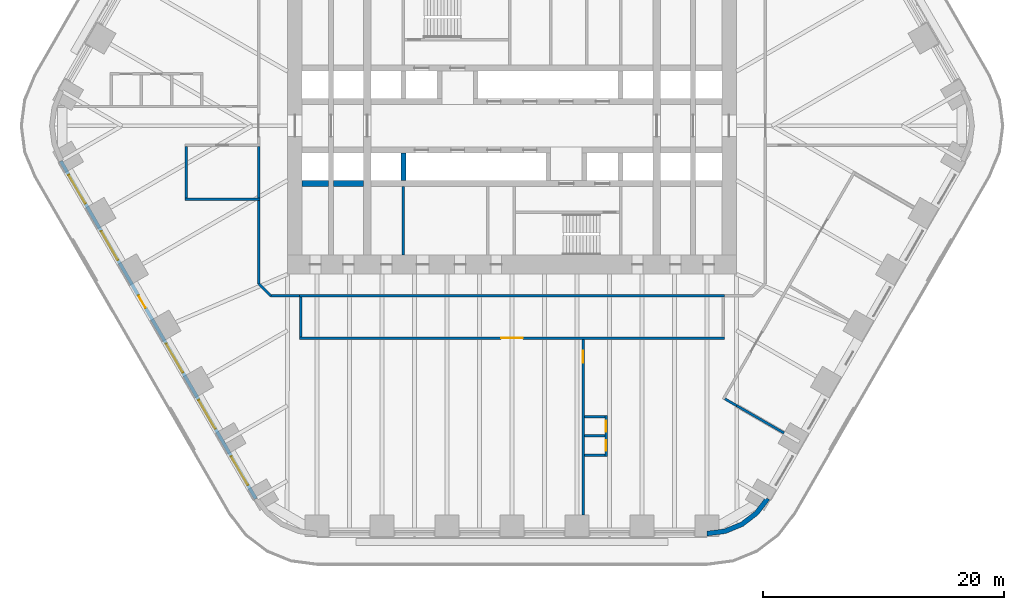
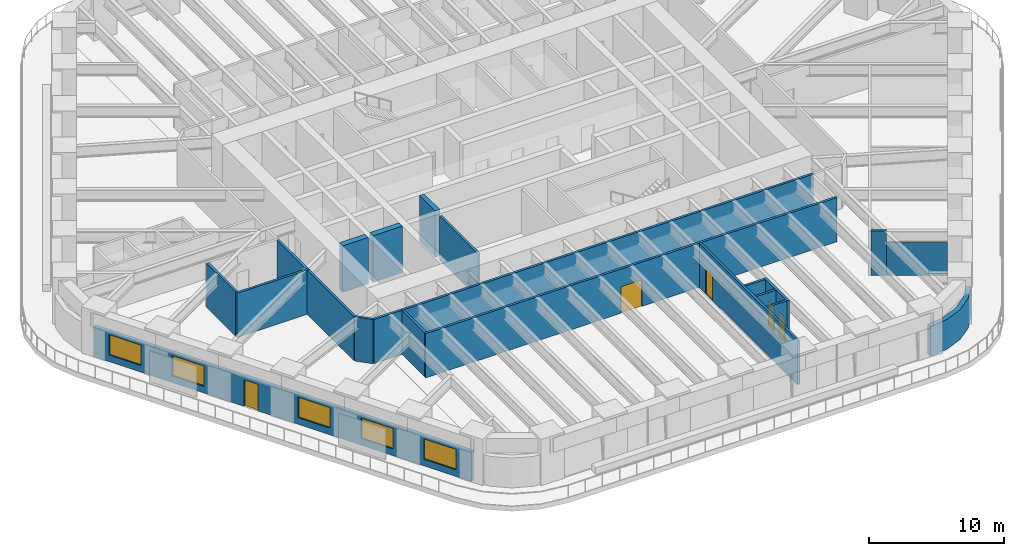
# One storey, part 16 of 23: 22 walls, 5 doors, 5 windows, 10 openings.
"""IFC4 building model written with IfcOpenShell, lengths in metres."""

from ifc_helpers import new_model, si_unit, direction, frame, frame_2d, origin, place, context, subcontext, project, spatial, polyline, rectangle, outline, extrude, material, layer, layer_set, type_object, element, fill, save


model = new_model("IFC4")

# Units and contexts
model_context = context("Model", 3, precision=1e-05, world=origin(), true_north=direction((0.0, 1.0)))
body_context = subcontext(model_context, "Body", "Model", "MODEL_VIEW")
ifc_project = project(units=[si_unit("LENGTHUNIT", "METRE"), si_unit("AREAUNIT", "SQUARE_METRE"), si_unit("VOLUMEUNIT", "CUBIC_METRE"), si_unit("PLANEANGLEUNIT", "RADIAN"), si_unit("MASSUNIT", "GRAM", prefix="KILO")], contexts=[model_context])

# Site, building, storey
site_placement = place(None, origin())
site = spatial("IfcSite", under=ifc_project, at=site_placement, CompositionType="ELEMENT")
building_placement = place(site_placement, origin())
building = spatial("IfcBuilding", under=site, at=building_placement, Name="Tarfa Lantern Tower", CompositionType="ELEMENT")
storey_placement = place(building_placement, frame((0.0, 0.0, 52.89990234375)))
storey = spatial("IfcBuildingStorey", under=building, at=storey_placement, Name="L11", CompositionType="ELEMENT", Elevation=52.89990234375)

# Wall, openings, door, windows
ifc_material_1 = material(Name="Limestone cladding on blockwork", Category="masonry")
ifc_layer_1 = layer(ifc_material_1, 0.300048828125)
ifc_layer_set_1 = layer_set([ifc_layer_1], Name="EW1 STONE-CLAD WALL 300")
wall_type_1 = type_object("IfcWallType", Name="EW1 STONE-CLAD WALL 300", PredefinedType="SOLIDWALL", material=ifc_layer_set_1)
wall_1_placement = place(storey_placement, frame((-37.39794921875, -2.925048828125, 0.0), z_axis=(0.0, 0.0, 1.0), x_axis=(0.499999163675, -0.866025886636, 0.0)))
wall_1 = element("IfcWall", 1, at=wall_1_placement, inside=storey, type_object=wall_type_1, Name="Stone wall SW", PredefinedType="SOLIDWALL", context=body_context, shape_type="SweptSolid", body=[
    extrude(rectangle(XDim=32.33154296875, YDim=0.300048828125, at=frame_2d((16.165771484375, 0.0))), origin(), (0.0, 0.0, 1.0), 2.7001953125),
])
opening_1_placement = place(wall_1_placement, frame((1.3193359375, 0.0, 0.60009765625)))
opening_1 = element("IfcOpeningElement", 2, at=opening_1_placement, cuts=wall_1, Name="Opening W2", PredefinedType="OPENING", context=body_context, shape_type="SweptSolid", body=[
    extrude(rectangle(XDim=2.75, YDim=1.85009765625, at=frame_2d((1.375, 0.925048828125))), frame((0.0, 0.159912109375, 0.0), z_axis=(0.0, -1.0, 0.0), x_axis=(1.0, 0.0, 0.0)), (0.0, 0.0, 1.0), 0.320068359375),
])
opening_2_placement = place(wall_1_placement, frame((6.7080078125, 0.0, 0.60009765625)))
opening_2 = element("IfcOpeningElement", 3, at=opening_2_placement, cuts=wall_1, Name="Opening W2", PredefinedType="OPENING", context=body_context, shape_type="SweptSolid", body=[
    extrude(rectangle(XDim=2.75, YDim=1.85009765625, at=frame_2d((1.375, 0.925048828125))), frame((0.0, 0.159912109375, 0.0), z_axis=(0.0, -1.0, 0.0), x_axis=(1.0, 0.0, 0.0)), (0.0, 0.0, 1.0), 0.320068359375),
])
opening_3_placement = place(wall_1_placement, frame((12.87158203125, 0.0, 0.0)))
opening_3 = element("IfcOpeningElement", 4, at=opening_3_placement, cuts=wall_1, Name="Opening D51", PredefinedType="OPENING", context=body_context, shape_type="SweptSolid", body=[
    extrude(rectangle(XDim=1.199951171875, YDim=2.39990234375, at=frame_2d((0.60009765625, 1.199951171875))), frame((0.0, 0.159912109375, 0.0), z_axis=(0.0, -1.0, 0.0), x_axis=(1.0, 0.0, 0.0)), (0.0, 0.0, 1.0), 0.320068359375),
])
opening_4_placement = place(wall_1_placement, frame((17.485107421875, 0.0, 0.60009765625)))
opening_4 = element("IfcOpeningElement", 5, at=opening_4_placement, cuts=wall_1, Name="Opening W2", PredefinedType="OPENING", context=body_context, shape_type="SweptSolid", body=[
    extrude(rectangle(XDim=2.75, YDim=1.85009765625, at=frame_2d((1.375, 0.925048828125))), frame((0.0, 0.159912109375, 0.0), z_axis=(0.0, -1.0, 0.0), x_axis=(1.0, 0.0, 0.0)), (0.0, 0.0, 1.0), 0.320068359375),
])
opening_5_placement = place(wall_1_placement, frame((22.873779296875, 0.0, 0.60009765625)))
opening_5 = element("IfcOpeningElement", 6, at=opening_5_placement, cuts=wall_1, Name="Opening W2", PredefinedType="OPENING", context=body_context, shape_type="SweptSolid", body=[
    extrude(rectangle(XDim=2.75, YDim=1.85009765625, at=frame_2d((1.375, 0.925048828125))), frame((0.0, 0.159912109375, 0.0), z_axis=(0.0, -1.0, 0.0), x_axis=(1.0, 0.0, 0.0)), (0.0, 0.0, 1.0), 0.320068359375),
])
opening_6_placement = place(wall_1_placement, frame((28.26220703125, 0.0, 0.60009765625)))
opening_6 = element("IfcOpeningElement", 7, at=opening_6_placement, cuts=wall_1, Name="Opening W2", PredefinedType="OPENING", context=body_context, shape_type="SweptSolid", body=[
    extrude(rectangle(XDim=2.75, YDim=1.85009765625, at=frame_2d((1.375, 0.925048828125))), frame((0.0, 0.159912109375, 0.0), z_axis=(0.0, -1.0, 0.0), x_axis=(1.0, 0.0, 0.0)), (0.0, 0.0, 1.0), 0.320068359375),
])
ifc_material_2 = material(Name="Aluminium framed glazed door", Category="aluminium")
door_type_1 = type_object("IfcDoorType", Name="BE3 BALCONY DOOR 1200x2400", OperationType="SINGLE_SWING_RIGHT", PredefinedType="DOOR", material=ifc_material_2)
door_1_placement = place(opening_3_placement, origin())
door_1 = element("IfcDoor", 8, at=door_1_placement, inside=storey, type_object=door_type_1, Name="Balcony door SW", OperationType="SINGLE_SWING_RIGHT", OverallHeight=2.39990234375, OverallWidth=1.199951171875, PredefinedType="DOOR", context=body_context, shape_type="SweptSolid", body=[
    extrude(rectangle(XDim=1.199951171875, YDim=2.39990234375, at=frame_2d((0.60009765625, 1.199951171875))), frame((0.0, 0.02490234375, 0.0), z_axis=(0.0, -1.0, 0.0), x_axis=(1.0, 0.0, 0.0)), (0.0, 0.0, 1.0), 0.050048828125),
])
fill(opening_3, door_1)
ifc_material_3 = material(Name="Aluminium frame, double glazed", Category="aluminium")
window_type = type_object("IfcWindowType", Name="W2 FULL-HEIGHT GLAZING 2750x1850", PartitioningType="SINGLE_PANEL", PredefinedType="WINDOW", material=ifc_material_3)
window_1_placement = place(opening_1_placement, origin())
window_1 = element("IfcWindow", 9, at=window_1_placement, inside=storey, type_object=window_type, Name="Window SW 1", OverallHeight=1.85009765625, OverallWidth=2.75, PartitioningType="SINGLE_PANEL", PredefinedType="WINDOW", context=body_context, shape_type="SweptSolid", body=[
    extrude(rectangle(XDim=2.75, YDim=1.85009765625, at=frame_2d((1.375, 0.925048828125))), frame((0.0, 0.030029296875, 0.0), z_axis=(0.0, -1.0, 0.0), x_axis=(1.0, 0.0, 0.0)), (0.0, 0.0, 1.0), 0.06005859375),
])
fill(opening_1, window_1)
window_2_placement = place(opening_2_placement, origin())
window_2 = element("IfcWindow", 10, at=window_2_placement, inside=storey, type_object=window_type, Name="Window SW 2", OverallHeight=1.85009765625, OverallWidth=2.75, PartitioningType="SINGLE_PANEL", PredefinedType="WINDOW", context=body_context, shape_type="SweptSolid", body=[
    extrude(rectangle(XDim=2.75, YDim=1.85009765625, at=frame_2d((1.375, 0.925048828125))), frame((0.0, 0.030029296875, 0.0), z_axis=(0.0, -1.0, 0.0), x_axis=(1.0, 0.0, 0.0)), (0.0, 0.0, 1.0), 0.06005859375),
])
fill(opening_2, window_2)
window_3_placement = place(opening_4_placement, origin())
window_3 = element("IfcWindow", 11, at=window_3_placement, inside=storey, type_object=window_type, Name="Window SW 4", OverallHeight=1.85009765625, OverallWidth=2.75, PartitioningType="SINGLE_PANEL", PredefinedType="WINDOW", context=body_context, shape_type="SweptSolid", body=[
    extrude(rectangle(XDim=2.75, YDim=1.85009765625, at=frame_2d((1.375, 0.925048828125))), frame((0.0, 0.030029296875, 0.0), z_axis=(0.0, -1.0, 0.0), x_axis=(1.0, 0.0, 0.0)), (0.0, 0.0, 1.0), 0.06005859375),
])
fill(opening_4, window_3)
window_4_placement = place(opening_5_placement, origin())
window_4 = element("IfcWindow", 12, at=window_4_placement, inside=storey, type_object=window_type, Name="Window SW 5", OverallHeight=1.85009765625, OverallWidth=2.75, PartitioningType="SINGLE_PANEL", PredefinedType="WINDOW", context=body_context, shape_type="SweptSolid", body=[
    extrude(rectangle(XDim=2.75, YDim=1.85009765625, at=frame_2d((1.375, 0.925048828125))), frame((0.0, 0.030029296875, 0.0), z_axis=(0.0, -1.0, 0.0), x_axis=(1.0, 0.0, 0.0)), (0.0, 0.0, 1.0), 0.06005859375),
])
fill(opening_5, window_4)
window_5_placement = place(opening_6_placement, origin())
window_5 = element("IfcWindow", 13, at=window_5_placement, inside=storey, type_object=window_type, Name="Window SW 6", OverallHeight=1.85009765625, OverallWidth=2.75, PartitioningType="SINGLE_PANEL", PredefinedType="WINDOW", context=body_context, shape_type="SweptSolid", body=[
    extrude(rectangle(XDim=2.75, YDim=1.85009765625, at=frame_2d((1.375, 0.925048828125))), frame((0.0, 0.030029296875, 0.0), z_axis=(0.0, -1.0, 0.0), x_axis=(1.0, 0.0, 0.0)), (0.0, 0.0, 1.0), 0.06005859375),
])
fill(opening_6, window_5)

# Walls
ifc_layer_2 = layer(ifc_material_1, 0.39990234375)
ifc_layer_set_2 = layer_set([ifc_layer_2], Name="EW2 CURVED STONE CORNER 400")
wall_type_2 = type_object("IfcWallType", Name="EW2 CURVED STONE CORNER 400", PredefinedType="SOLIDWALL", material=ifc_layer_set_2)
wall_2_placement = place(storey_placement, origin())
element("IfcWall", 14, at=wall_2_placement, inside=storey, type_object=wall_type_2, Name="Stone corner S-SE", PredefinedType="SOLIDWALL", context=body_context, shape_type="SweptSolid", body=[
    extrude(outline(polyline([(16.165771484375, -34.0), (17.71875, -33.795654296875), (19.165771484375, -33.196044921875), (20.408447265625, -32.24267578125), (21.362060546875, -31.0), (21.015625, -30.800048828125), (20.12548828125, -31.959716796875), (18.9658203125, -32.849853515625), (17.615234375, -33.4091796875), (16.165771484375, -33.60009765625), (16.165771484375, -34.0)])), origin(), (0.0, 0.0, 1.0), 2.7001953125),
])
ifc_material_4 = material(Name="Concrete blockwork", Category="masonry")
ifc_layer_3 = layer(ifc_material_4, 0.199951171875)
ifc_layer_set_3 = layer_set([ifc_layer_3], Name="IW1 BLOCKWORK PARTITION 200 EI 120")
wall_type_3 = type_object("IfcWallType", Name="IW1 BLOCKWORK PARTITION 200 EI 120", PredefinedType="PARTITIONING", material=ifc_layer_set_3)
wall_3_placement = place(storey_placement, frame((-9.0, -5.050048828125, 0.0), z_axis=(0.0, 0.0, 1.0), x_axis=(0.0, -1.0, 0.0)))
element("IfcWall", 15, at=wall_3_placement, inside=storey, type_object=wall_type_3, Name="Core partition", PredefinedType="PARTITIONING", context=body_context, shape_type="SweptSolid", body=[
    extrude(rectangle(XDim=5.64990234375, YDim=0.199951171875, at=frame_2d((2.824951171875, 0.0))), origin(), (0.0, 0.0, 1.0), 4.0),
])
ifc_material_5 = material(Name="Gypsum board on steel studs", Category="steel")
ifc_layer_4 = layer(ifc_material_5, 0.2099609375)
ifc_layer_set_4 = layer_set([ifc_layer_4], Name="IW2 ACOUSTIC PARTITION 200")
wall_type_4 = type_object("IfcWallType", Name="IW2 ACOUSTIC PARTITION 200", PredefinedType="PARTITIONING", material=ifc_layer_set_4)
wall_4_placement = place(storey_placement, frame((17.60009765625, -14.10009765625, 0.0), z_axis=(0.0, 0.0, 1.0), x_axis=(-1.0, 0.0, 0.0)))
element("IfcWall", 16, at=wall_4_placement, inside=storey, type_object=wall_type_4, Name="Partition", PredefinedType="PARTITIONING", context=body_context, shape_type="SweptSolid", body=[
    extrude(rectangle(XDim=35.2001953125, YDim=0.199951171875, at=frame_2d((17.60009765625, 0.0))), origin(), (0.0, 0.0, 1.0), 4.0),
])

# Wall, opening, door
wall_5_placement = place(storey_placement, frame((17.60009765625, -17.60009765625, 0.0), z_axis=(0.0, 0.0, 1.0), x_axis=(-1.0, 0.0, 0.0)))
wall_5 = element("IfcWall", 17, at=wall_5_placement, inside=storey, type_object=wall_type_4, Name="Partition", PredefinedType="PARTITIONING", context=body_context, shape_type="SweptSolid", body=[
    extrude(rectangle(XDim=35.2001953125, YDim=0.199951171875, at=frame_2d((17.60009765625, 0.0))), origin(), (0.0, 0.0, 1.0), 4.0),
])
opening_7_placement = place(wall_5_placement, frame((16.699951171875, 0.0, 0.0)))
opening_7 = element("IfcOpeningElement", 18, at=opening_7_placement, cuts=wall_5, Name="Opening D38", PredefinedType="OPENING", context=body_context, shape_type="SweptSolid", body=[
    extrude(rectangle(XDim=1.800048828125, YDim=2.39990234375, at=frame_2d((0.89990234375, 1.199951171875))), frame((0.0, 0.10986328125, 0.0), z_axis=(0.0, -1.0, 0.0), x_axis=(1.0, 0.0, 0.0)), (0.0, 0.0, 1.0), 0.219970703125),
])
ifc_material_6 = material(Name="Timber door", Category="wood")
door_type_2 = type_object("IfcDoorType", Name="DR2 ROOM DOOR 1800x2400", OperationType="DOUBLE_DOOR_SINGLE_SWING", PredefinedType="DOOR", material=ifc_material_6)
door_2_placement = place(opening_7_placement, frame((1.800048828125, 0.0, 0.0), z_axis=(0.0, 0.0, 1.0), x_axis=(-1.0, 0.0, 0.0)))
door_2 = element("IfcDoor", 19, at=door_2_placement, inside=storey, type_object=door_type_2, Name="Meeting room door", OperationType="DOUBLE_DOOR_SINGLE_SWING", OverallHeight=2.39990234375, OverallWidth=1.800048828125, PredefinedType="DOOR", context=body_context, shape_type="SweptSolid", body=[
    extrude(rectangle(XDim=1.800048828125, YDim=2.39990234375, at=frame_2d((0.89990234375, 1.199951171875))), frame((0.0, 0.02490234375, 0.0), z_axis=(0.0, -1.0, 0.0), x_axis=(1.0, 0.0, 0.0)), (0.0, 0.0, 1.0), 0.050048828125),
])
fill(opening_7, door_2)

# Walls
wall_6_placement = place(storey_placement, frame((-17.5, -14.199951171875, 0.0), z_axis=(0.0, 0.0, 1.0), x_axis=(0.0, -1.0, 0.0)))
element("IfcWall", 20, at=wall_6_placement, inside=storey, type_object=wall_type_4, Name="Partition", PredefinedType="PARTITIONING", context=body_context, shape_type="SweptSolid", body=[
    extrude(rectangle(XDim=3.300048828125, YDim=0.199951171875, at=frame_2d((1.64990234375, 0.0))), origin(), (0.0, 0.0, 1.0), 4.0),
])
wall_7_placement = place(storey_placement, frame((17.647705078125, -22.63330078125, 0.0), z_axis=(0.0, 0.0, 1.0), x_axis=(0.86603400694, -0.499985098601, 0.0)))
element("IfcWall", 21, at=wall_7_placement, inside=storey, type_object=wall_type_4, Name="Partition", PredefinedType="PARTITIONING", context=body_context, shape_type="SweptSolid", body=[
    extrude(rectangle(XDim=1.12646484375, YDim=0.199951171875, at=frame_2d((0.563232421875, 0.0))), origin(), (0.0, 0.0, 1.0), 4.0),
])
wall_8_placement = place(storey_placement, frame((18.623291015625, -23.196533203125, 0.0), z_axis=(0.0, 0.0, 1.0), x_axis=(0.866029199568, -0.499993425452, 0.0)))
element("IfcWall", 22, at=wall_8_placement, inside=storey, type_object=wall_type_4, Name="Partition", PredefinedType="PARTITIONING", context=body_context, shape_type="SweptSolid", body=[
    extrude(rectangle(XDim=4.5234375, YDim=0.199951171875, at=frame_2d((2.26171875, 0.0))), origin(), (0.0, 0.0, 1.0), 2.991943359375),
])
wall_9_placement = place(storey_placement, frame((-20.89990234375, -6.10009765625, 0.0), z_axis=(0.0, 0.0, 1.0), x_axis=(-1.0, 0.0, 0.0)))
element("IfcWall", 23, at=wall_9_placement, inside=storey, type_object=wall_type_4, Name="Partition", PredefinedType="PARTITIONING", context=body_context, shape_type="SweptSolid", body=[
    extrude(rectangle(XDim=6.2001953125, YDim=0.199951171875, at=frame_2d((3.10009765625, 0.0))), origin(), (0.0, 0.0, 1.0), 4.0),
])
for number, where, z_axis, x_axis, name in (
    (24, (-21.0, -1.699951171875, 0.0), (0.0, 0.0, 1.0), (0.0, -1.0, 0.0), "Partition"),
    (25, (-27.0, -1.699951171875, 0.0), (0.0, 0.0, 1.0), (0.0, -1.0, 0.0), "Partition"),
):
    element("IfcWall", number, at=place(storey_placement, frame(where, z_axis=z_axis, x_axis=x_axis)), inside=storey, type_object=wall_type_4, Name=name, PredefinedType="PARTITIONING", context=body_context, shape_type="SweptSolid", body=[
        extrude(rectangle(XDim=4.300048828125, YDim=0.199951171875, at=frame_2d((2.14990234375, 0.0))), origin(), (0.0, 0.0, 1.0), 4.0),
    ])
wall_10_placement = place(storey_placement, frame((-17.60009765625, -14.10009765625, 0.0), z_axis=(0.0, 0.0, 1.0), x_axis=(-1.0, 0.0, 0.0)))
element("IfcWall", 26, at=wall_10_placement, inside=storey, type_object=wall_type_4, Name="Partition", PredefinedType="PARTITIONING", context=body_context, shape_type="SweptSolid", body=[
    extrude(rectangle(XDim=2.39990234375, YDim=0.199951171875, at=frame_2d((1.199951171875, 0.0))), origin(), (0.0, 0.0, 1.0), 4.0),
])
wall_11_placement = place(storey_placement, frame((-20.0, -14.10009765625, 0.0), z_axis=(0.0, 0.0, 1.0), x_axis=(-0.707106781187, 0.707106781187, 0.0)))
element("IfcWall", 27, at=wall_11_placement, inside=storey, type_object=wall_type_4, Name="Partition", PredefinedType="PARTITIONING", context=body_context, shape_type="SweptSolid", body=[
    extrude(rectangle(XDim=1.414306640625, YDim=0.199951171875, at=frame_2d((0.70703125, 0.0))), origin(), (0.0, 0.0, 1.0), 4.0),
])
wall_12_placement = place(storey_placement, frame((-21.0, -13.10009765625, 0.0), z_axis=(0.0, 0.0, 1.0), x_axis=(0.0, 1.0, 0.0)))
element("IfcWall", 28, at=wall_12_placement, inside=storey, type_object=wall_type_4, Name="Partition", PredefinedType="PARTITIONING", context=body_context, shape_type="SweptSolid", body=[
    extrude(rectangle(XDim=6.899169921875, YDim=0.199951171875, at=frame_2d((3.44970703125, 0.0))), origin(), (0.0, 0.0, 1.0), 4.0),
])

# Wall, opening, door
wall_13_placement = place(storey_placement, frame((5.89990234375, -17.699951171875, 0.0), z_axis=(0.0, 0.0, 1.0), x_axis=(0.0, -1.0, 0.0)))
wall_13 = element("IfcWall", 29, at=wall_13_placement, inside=storey, type_object=wall_type_4, Name="Partition", PredefinedType="PARTITIONING", context=body_context, shape_type="SweptSolid", body=[
    extrude(rectangle(XDim=14.550048828125, YDim=0.199951171875, at=frame_2d((7.27490234375, 0.0))), origin(), (0.0, 0.0, 1.0), 4.0),
])
opening_8_placement = place(wall_13_placement, frame((0.955078125, 0.0, 0.0)))
opening_8 = element("IfcOpeningElement", 30, at=opening_8_placement, cuts=wall_13, Name="Opening D47", PredefinedType="OPENING", context=body_context, shape_type="SweptSolid", body=[
    extrude(rectangle(XDim=1.0, YDim=2.199951171875, at=frame_2d((0.5, 1.10009765625))), frame((0.0, 0.10986328125, 0.0), z_axis=(0.0, -1.0, 0.0), x_axis=(1.0, 0.0, 0.0)), (0.0, 0.0, 1.0), 0.219970703125),
])
door_type_3 = type_object("IfcDoorType", Name="DR1 ROOM DOOR 1000x2200", OperationType="SINGLE_SWING_LEFT", PredefinedType="DOOR", material=ifc_material_6)
door_3_placement = place(opening_8_placement, origin())
door_3 = element("IfcDoor", 31, at=door_3_placement, inside=storey, type_object=door_type_3, Name="Zone door", OperationType="SINGLE_SWING_RIGHT", OverallHeight=2.199951171875, OverallWidth=1.0, PredefinedType="DOOR", context=body_context, shape_type="SweptSolid", body=[
    extrude(rectangle(XDim=1.0, YDim=2.199951171875, at=frame_2d((0.5, 1.10009765625))), frame((0.0, 0.02490234375, 0.0), z_axis=(0.0, -1.0, 0.0), x_axis=(1.0, 0.0, 0.0)), (0.0, 0.0, 1.0), 0.050048828125),
])
fill(opening_8, door_3)

# Wall, openings, doors
wall_14_placement = place(storey_placement, frame((7.800048828125, -24.00244140625, 0.0), z_axis=(0.0, 0.0, 1.0), x_axis=(0.0, -1.0, 0.0)))
wall_14 = element("IfcWall", 32, at=wall_14_placement, inside=storey, type_object=wall_type_4, Name="Partition", PredefinedType="PARTITIONING", context=body_context, shape_type="SweptSolid", body=[
    extrude(rectangle(XDim=3.400146484375, YDim=0.199951171875, at=frame_2d((1.7001953125, 0.0))), origin(), (0.0, 0.0, 1.0), 4.0),
])
opening_9_placement = place(wall_14_placement, frame((0.449951171875, 0.0, 0.0)))
opening_9 = element("IfcOpeningElement", 33, at=opening_9_placement, cuts=wall_14, Name="Opening D42", PredefinedType="OPENING", context=body_context, shape_type="SweptSolid", body=[
    extrude(rectangle(XDim=0.89990234375, YDim=2.199951171875, at=frame_2d((0.449951171875, 1.10009765625))), frame((0.0, 0.10986328125, 0.0), z_axis=(0.0, -1.0, 0.0), x_axis=(1.0, 0.0, 0.0)), (0.0, 0.0, 1.0), 0.219970703125),
])
opening_10_placement = place(wall_14_placement, frame((2.050048828125, 0.0, 0.0)))
opening_10 = element("IfcOpeningElement", 34, at=opening_10_placement, cuts=wall_14, Name="Opening D43", PredefinedType="OPENING", context=body_context, shape_type="SweptSolid", body=[
    extrude(rectangle(XDim=0.89990234375, YDim=2.199951171875, at=frame_2d((0.449951171875, 1.10009765625))), frame((0.0, 0.10986328125, 0.0), z_axis=(0.0, -1.0, 0.0), x_axis=(1.0, 0.0, 0.0)), (0.0, 0.0, 1.0), 0.219970703125),
])
door_type_4 = type_object("IfcDoorType", Name="DR3 ROOM DOOR 900x2200", OperationType="SINGLE_SWING_LEFT", PredefinedType="DOOR", material=ifc_material_6)
door_4_placement = place(opening_9_placement, frame((0.89990234375, 0.0, 0.0), z_axis=(0.0, 0.0, 1.0), x_axis=(-1.0, 0.0, 0.0)))
door_4 = element("IfcDoor", 35, at=door_4_placement, inside=storey, type_object=door_type_4, Name="Phone booth door", OperationType="SINGLE_SWING_LEFT", OverallHeight=2.199951171875, OverallWidth=0.89990234375, PredefinedType="DOOR", context=body_context, shape_type="SweptSolid", body=[
    extrude(rectangle(XDim=0.89990234375, YDim=2.199951171875, at=frame_2d((0.449951171875, 1.10009765625))), frame((0.0, 0.02490234375, 0.0), z_axis=(0.0, -1.0, 0.0), x_axis=(1.0, 0.0, 0.0)), (0.0, 0.0, 1.0), 0.050048828125),
])
fill(opening_9, door_4)
door_5_placement = place(opening_10_placement, frame((0.89990234375, 0.0, 0.0), z_axis=(0.0, 0.0, 1.0), x_axis=(-1.0, 0.0, 0.0)))
door_5 = element("IfcDoor", 36, at=door_5_placement, inside=storey, type_object=door_type_4, Name="Phone booth door", OperationType="SINGLE_SWING_RIGHT", OverallHeight=2.199951171875, OverallWidth=0.89990234375, PredefinedType="DOOR", context=body_context, shape_type="SweptSolid", body=[
    extrude(rectangle(XDim=0.89990234375, YDim=2.199951171875, at=frame_2d((0.449951171875, 1.10009765625))), frame((0.0, 0.02490234375, 0.0), z_axis=(0.0, -1.0, 0.0), x_axis=(1.0, 0.0, 0.0)), (0.0, 0.0, 1.0), 0.050048828125),
])
fill(opening_10, door_5)

# Walls
for number, where, z_axis, x_axis, name in (
    (37, (6.0, -24.1025390625, 0.0), (0.0, 0.0, 1.0), (1.0, 0.0, 0.0), "Partition"),
    (38, (6.0, -25.702392578125, 0.0), (0.0, 0.0, 1.0), (1.0, 0.0, 0.0), "Partition"),
    (39, (6.0, -27.302490234375, 0.0), (0.0, 0.0, 1.0), (1.0, 0.0, 0.0), "Partition"),
):
    element("IfcWall", number, at=place(storey_placement, frame(where, z_axis=z_axis, x_axis=x_axis)), inside=storey, type_object=wall_type_4, Name=name, PredefinedType="PARTITIONING", context=body_context, shape_type="SweptSolid", body=[
        extrude(rectangle(XDim=1.699951171875, YDim=0.199951171875, at=frame_2d((0.85009765625, 0.0))), origin(), (0.0, 0.0, 1.0), 4.0),
    ])
ifc_material_7 = material(Name="Concrete C80/95", Category="concrete")
ifc_layer_5 = layer(ifc_material_7, 0.5)
ifc_layer_set_5 = layer_set([ifc_layer_5], Name="SW5 CORE WALL 500")
wall_type_5 = type_object("IfcWallType", Name="SW5 CORE WALL 500", PredefinedType="SHEAR", material=ifc_layer_set_5)
wall_15_placement = place(storey_placement, frame((-12.300048828125, -4.800048828125, 0.0), z_axis=(0.0, 0.0, 1.0), x_axis=(-1.0, 0.0, 0.0)))
element("IfcWall", 40, at=wall_15_placement, inside=storey, type_object=wall_type_5, Name="Core wall rear S", PredefinedType="SHEAR", context=body_context, shape_type="SweptSolid", body=[
    extrude(rectangle(XDim=2.5, YDim=0.5, at=frame_2d((1.25, 0.0))), origin(), (0.0, 0.0, 1.0), 4.2001953125),
])
wall_16_placement = place(storey_placement, frame((-15.199951171875, -4.800048828125, 0.0), z_axis=(0.0, 0.0, 1.0), x_axis=(-1.0, 0.0, 0.0)))
element("IfcWall", 41, at=wall_16_placement, inside=storey, type_object=wall_type_5, Name="Core wall rear S", PredefinedType="SHEAR", context=body_context, shape_type="SweptSolid", body=[
    extrude(rectangle(XDim=2.199951171875, YDim=0.5, at=frame_2d((1.10009765625, 0.0))), origin(), (0.0, 0.0, 1.0), 4.2001953125),
])
ifc_layer_6 = layer(ifc_material_7, 0.39990234375)
ifc_layer_set_6 = layer_set([ifc_layer_6], Name="SW6 CORE WALL 400")
wall_type_6 = type_object("IfcWallType", Name="SW6 CORE WALL 400", PredefinedType="SHEAR", material=ifc_layer_set_6)
wall_17_placement = place(storey_placement, frame((-9.0, -2.25, 0.0), z_axis=(0.0, 0.0, 1.0), x_axis=(0.0, -1.0, 0.0)))
element("IfcWall", 42, at=wall_17_placement, inside=storey, type_object=wall_type_6, Name="Core wall divider S", PredefinedType="SHEAR", context=body_context, shape_type="SweptSolid", body=[
    extrude(rectangle(XDim=2.300048828125, YDim=0.39990234375, at=frame_2d((1.14990234375, 0.0))), origin(), (0.0, 0.0, 1.0), 4.2001953125),
])

save(model, "model.ifc")
